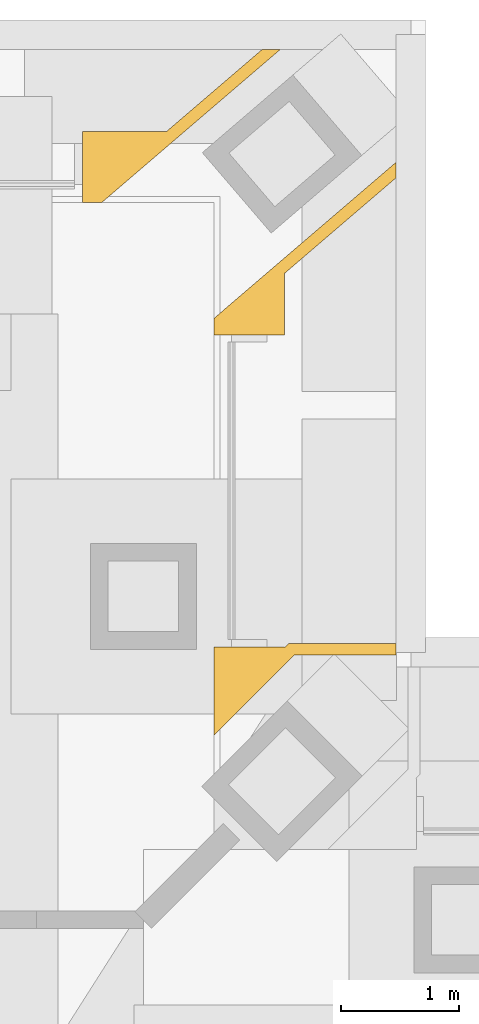
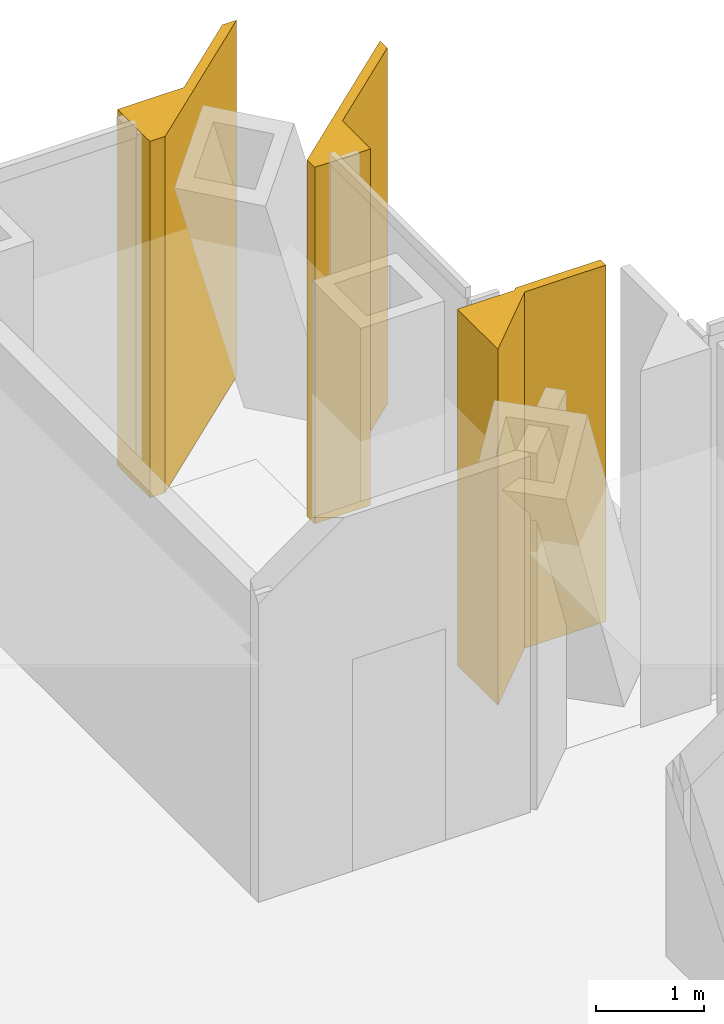
# One storey, part 12 of 12: 3 coverings.
"""IFC4 building model written with IfcOpenShell, lengths in metres."""

from ifc_helpers import new_model, si_unit, direction, frame, origin, place, context, subcontext, project, spatial, polyline, outline, extrude, material, layer, layer_set, type_object, element, save


model = new_model("IFC4")

# Units and contexts
model_context = context("Model", 3, precision=1e-05, world=origin(), true_north=direction((0.0, 1.0)))
body_context = subcontext(model_context, "Body", "Model", "MODEL_VIEW")
ifc_project = project(units=[si_unit("LENGTHUNIT", "METRE"), si_unit("AREAUNIT", "SQUARE_METRE"), si_unit("VOLUMEUNIT", "CUBIC_METRE"), si_unit("PLANEANGLEUNIT", "RADIAN"), si_unit("MASSUNIT", "GRAM", prefix="KILO")], contexts=[model_context])

# Site, building, storey
site_placement = place(None, origin())
site = spatial("IfcSite", under=ifc_project, at=site_placement, CompositionType="ELEMENT")
building_placement = place(site_placement, origin())
building = spatial("IfcBuilding", under=site, at=building_placement, Name="Daluyong Arena Tower", CompositionType="ELEMENT")
storey_placement = place(building_placement, frame((0.0, 0.0, 181.300048828125)))
storey = spatial("IfcBuildingStorey", under=building, at=storey_placement, Name="L40", CompositionType="ELEMENT", Elevation=181.300048828125)

# Coverings
ifc_material = material(Name="Bronze anodised aluminium cladding", Category="aluminium")
ifc_layer = layer(ifc_material, 0.10009765625)
ifc_layer_set = layer_set([ifc_layer], Name="Bronze anodised aluminium cladding")
covering_type = type_object("IfcCoveringType", Name="Transition column casing 100", PredefinedType="CLADDING", material=ifc_layer_set)
covering_1_placement = place(storey_placement, origin())
element("IfcCovering", 1, at=covering_1_placement, inside=storey, type_object=covering_type, Name="transition column casing L40 1", PredefinedType="CLADDING", context=body_context, shape_type="SweptSolid", body=[
    extrude(outline(polyline([(72.10009765625, 97.822021484375), (72.699951171875, 97.822021484375), (72.699951171875, 97.81201171875), (72.73779296875, 97.85009765625), (73.64990234375, 97.85009765625), (73.64990234375, 97.75), (72.779296875, 97.75), (72.10009765625, 97.07080078125), (72.10009765625, 97.822021484375)])), origin(), (0.0, 0.0, 1.0), 4.0400390625),
])
covering_2_placement = place(storey_placement, origin())
element("IfcCovering", 2, at=covering_2_placement, inside=storey, type_object=covering_type, Name="transition column casing L40 1", PredefinedType="CLADDING", context=body_context, shape_type="SweptSolid", body=[
    extrude(outline(polyline([(70.984619140625, 101.60009765625), (70.984619140625, 102.199951171875), (71.694580078125, 102.199951171875), (72.51123046875, 102.89990234375), (72.664794921875, 102.89990234375), (71.148193359375, 101.60009765625), (70.984619140625, 101.60009765625)])), origin(), (0.0, 0.0, 1.0), 4.0400390625),
])
covering_3_placement = place(storey_placement, origin())
element("IfcCovering", 3, at=covering_3_placement, inside=storey, type_object=covering_type, Name="transition column casing L40 2", PredefinedType="CLADDING", context=body_context, shape_type="SweptSolid", body=[
    extrude(outline(polyline([(72.699951171875, 100.995361328125), (72.699951171875, 100.470947265625), (72.10009765625, 100.470947265625), (72.10009765625, 100.61279296875), (73.64990234375, 101.94140625), (73.64990234375, 101.8095703125), (72.699951171875, 100.995361328125)])), origin(), (0.0, 0.0, 1.0), 4.0400390625),
])

save(model, "model.ifc")
